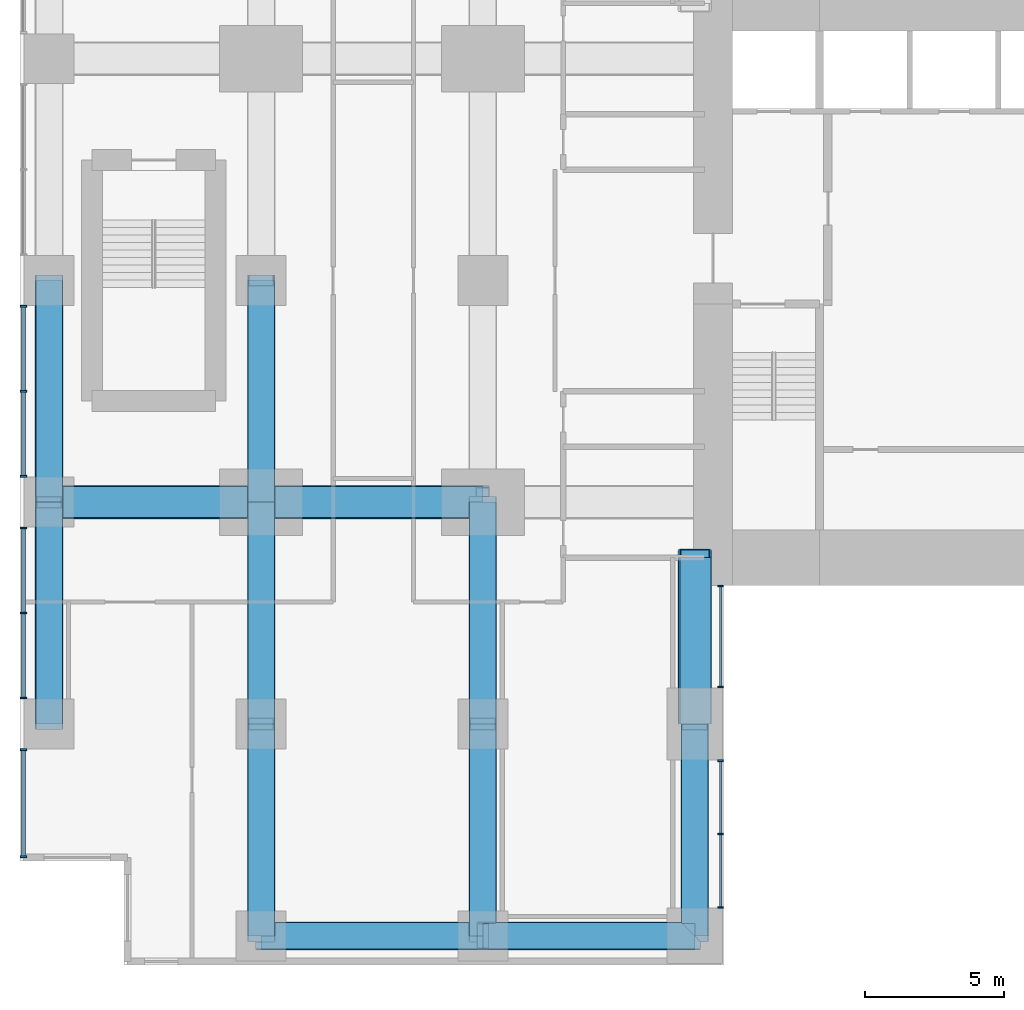
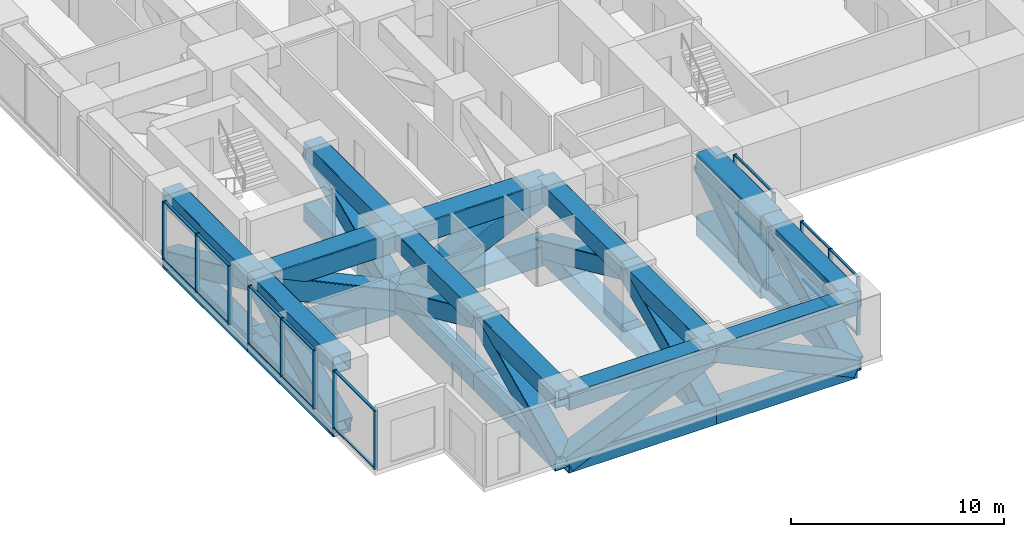
# One storey, part 2 of 14: 68 members, 5 elements without a shape of their own.
"""IFC4 building model written with IfcOpenShell, lengths in metres."""

import ifcopenshell
import ifcopenshell.guid

model = None  # the IFC model being written
_history = None  # IfcOwnerHistory: only IFC2X3 demands one
_inside = {}  # id of a spatial element -> (the spatial element, [elements in it])
_under = {}  # id of a project, library or spatial element -> (it, [spatial elements below it])
_declared = {}  # id of a project -> (the project, [libraries it declares])
_typed = {}  # id of a type object -> (the type object, [elements of that type])
_made_of = {}  # id of a material, layer set ... -> (it, [elements and type objects made of it])


def new_model(schema):
    """Start an empty IFC model of exactly this schema.

    Asked for "IFC4X3", IfcOpenShell would pick the latest addendum, in which some entities
    have other attributes; the version numbers below select the first issue.
    IFC2X3 requires an IfcOwnerHistory on every rooted entity: one is made here for all.
    """
    global model, _history
    if schema == "IFC4X3":
        model = ifcopenshell.file(schema_version=(4, 3, 0, 0))
    else:
        model = ifcopenshell.file(schema=schema)
    _inside.clear()
    _under.clear()
    _declared.clear()
    _typed.clear()
    _made_of.clear()
    _history = None
    if model.schema == "IFC2X3":
        org = make("IfcOrganization", Name="unknown")
        user = make(
            "IfcPersonAndOrganization",
            ThePerson=make("IfcPerson", FamilyName="unknown"),
            TheOrganization=org,
        )
        app = make(
            "IfcApplication",
            ApplicationDeveloper=org,
            Version="unknown",
            ApplicationFullName="unknown",
            ApplicationIdentifier="unknown",
        )
        _history = make(
            "IfcOwnerHistory",
            OwningUser=user,
            OwningApplication=app,
            ChangeAction="ADDED",
            CreationDate=0,
        )
    return model


def make(cls, **values):
    """One entity of the class cls with the attributes given. An attribute that is None is left unset."""
    return model.create_entity(
        cls, **{name: value for name, value in values.items() if value is not None}
    )


def rooted(cls, **values):
    """An entity with a GlobalId (a new one), such as an element, a storey or a relation."""
    return make(cls, GlobalId=ifcopenshell.guid.new(), OwnerHistory=_history, **values)


def si_unit(unit_type, name, prefix=None):
    """IfcSIUnit, for example si_unit("LENGTHUNIT", "METRE", prefix="MILLI")."""
    return make("IfcSIUnit", UnitType=unit_type, Prefix=prefix, Name=name)


def assignment(units):
    """IfcUnitAssignment: the units of a project."""
    return None if units is None else make("IfcUnitAssignment", Units=units)


def point(xyz):
    """IfcCartesianPoint."""
    return None if xyz is None else make("IfcCartesianPoint", Coordinates=xyz)


def direction(xyz):
    """IfcDirection."""
    return None if xyz is None else make("IfcDirection", DirectionRatios=xyz)


def frame(location, z_axis=None, x_axis=None):
    """IfcAxis2Placement3D, a coordinate frame: its origin and axes. An axis left out is left unset."""
    return make(
        "IfcAxis2Placement3D",
        Location=point(location),
        Axis=direction(z_axis),
        RefDirection=direction(x_axis),
    )


def frame_2d(location, x_axis=None):
    """IfcAxis2Placement2D, a coordinate frame in the plane: its origin and x axis."""
    return make(
        "IfcAxis2Placement2D", Location=point(location), RefDirection=direction(x_axis)
    )


def origin():
    """The frame at (0, 0, 0) with its axes left unset."""
    return frame((0.0, 0.0, 0.0))


def origin_2d():
    """The frame at (0, 0) in the plane with its x axis left unset."""
    return frame_2d((0.0, 0.0))


def place(relative_to, where):
    """IfcLocalPlacement: puts the frame where relative to a parent placement (None: the world)."""
    return make(
        "IfcLocalPlacement", PlacementRelTo=relative_to, RelativePlacement=where
    )


def context(
    kind, dimensions, precision=None, world=None, true_north=None, identifier=None
):
    """IfcGeometricRepresentationContext, for example the 3D "Model" context."""
    return make(
        "IfcGeometricRepresentationContext",
        ContextIdentifier=identifier,
        ContextType=kind,
        CoordinateSpaceDimension=dimensions,
        Precision=precision,
        WorldCoordinateSystem=world,
        TrueNorth=true_north,
    )


def subcontext(parent, identifier, kind, view, scale=None):
    """IfcGeometricRepresentationSubContext, for example "Body" below "Model"."""
    return make(
        "IfcGeometricRepresentationSubContext",
        ContextIdentifier=identifier,
        ContextType=kind,
        ParentContext=parent,
        TargetScale=scale,
        TargetView=view,
    )


def project(units=None, contexts=None):
    """IfcProject with its units and contexts."""
    return rooted(
        "IfcProject",
        Name="project",
        RepresentationContexts=contexts,
        UnitsInContext=assignment(units),
    )


def spatial(cls, under=None, at=None, **own):
    """A site, building, storey or space (cls), placed at a placement, below another one or the project."""
    s = rooted(cls, ObjectPlacement=at, **own)
    if under is not None:
        _under.setdefault(under.id(), (under, []))[1].append(s)
    return s


def profile(cls, at=None, kind="AREA", **sizes):
    """A parametric profile (cls). Its sizes go by their IFC names, for example OverallWidth=200.0."""
    return make(cls, ProfileType=kind, Position=at, **sizes)


def rectangle(**sizes):
    """IfcRectangleProfileDef."""
    return profile("IfcRectangleProfileDef", **sizes)


def hollow_rectangle(**sizes):
    """IfcRectangleHollowProfileDef."""
    return profile("IfcRectangleHollowProfileDef", **sizes)


def extrude(swept, where, along, depth):
    """IfcExtrudedAreaSolid: the profile swept, set in the frame where, extruded along a direction by depth."""
    return make(
        "IfcExtrudedAreaSolid",
        SweptArea=swept,
        Position=where,
        ExtrudedDirection=direction(along),
        Depth=depth,
    )


def shape(context_of_items, identifier, shape_type, items):
    """IfcShapeRepresentation: the items that make up one representation, for example the "Body"."""
    return make(
        "IfcShapeRepresentation",
        ContextOfItems=context_of_items,
        RepresentationIdentifier=identifier,
        RepresentationType=shape_type,
        Items=items,
    )


def material(Name=None, Category=None):
    """IfcMaterial."""
    return make("IfcMaterial", Name=Name, Category=Category)


def layer(
    of_material, thickness, ventilated=None, Name=None, Category=None, Priority=None
):
    """IfcMaterialLayer: one layer of a wall or slab, of a material (None: an air gap)."""
    return make(
        "IfcMaterialLayer",
        Material=of_material,
        LayerThickness=thickness,
        IsVentilated=ventilated,
        Name=Name,
        Category=Category,
        Priority=Priority,
    )


def layer_set(layers, Name=None):
    """IfcMaterialLayerSet."""
    return make("IfcMaterialLayerSet", MaterialLayers=layers, LayerSetName=Name)


def material_profile(
    of_material, cross_section, Name=None, Category=None, Priority=None
):
    """IfcMaterialProfile: a cross section and its material."""
    return make(
        "IfcMaterialProfile",
        Name=Name,
        Material=of_material,
        Profile=cross_section,
        Priority=Priority,
        Category=Category,
    )


def profile_set(profiles, Name=None, composite=None):
    """IfcMaterialProfileSet."""
    return make(
        "IfcMaterialProfileSet",
        Name=Name,
        MaterialProfiles=profiles,
        CompositeProfile=composite,
    )


def made_of(thing, what):
    """Note that an element or type object is made of a material, layer set ...; save() writes the relation."""
    if what is not None:
        _made_of.setdefault(what.id(), (what, []))[1].append(thing)
    return thing


def type_object(cls, material=None, **own):
    """A type object (cls), such as IfcWallType, which elements share."""
    return made_of(rooted(cls, **own), material)


def element(
    cls,
    number,
    at=None,
    inside=None,
    cuts=None,
    type_object=None,
    material=None,
    context=None,
    identifier="Body",
    shape_type=None,
    held_by="IfcProductDefinitionShape",
    body=None,
    shapes=None,
    **own,
):
    """One element of the class cls, such as IfcWall. Its Tag is "e" and its number.

    at: its placement. inside: the storey or other place that contains it. cuts: it is an
    opening in that element (IfcRelVoidsElement). A single representation is given by context,
    identifier, shape_type and body (its items); several are given by shapes. held_by: the class
    of the entity that holds the representations. save() writes the other relations.
    """
    e = rooted(cls, Tag="e%d" % number, ObjectPlacement=at, **own)
    if body is not None:
        shapes = [shape(context, identifier, shape_type, body)]
    if shapes is not None:
        e.Representation = make(held_by, Representations=shapes)
    if inside is not None:
        _inside.setdefault(inside.id(), (inside, []))[1].append(e)
    if cuts is not None:
        rooted(
            "IfcRelVoidsElement", RelatingBuildingElement=cuts, RelatedOpeningElement=e
        )
    if type_object is not None:
        _typed.setdefault(type_object.id(), (type_object, []))[1].append(e)
    return made_of(e, material)


def aggregate(whole, parts):
    """IfcRelAggregates: a whole, such as a stair, and the parts it consists of."""
    return rooted("IfcRelAggregates", RelatingObject=whole, RelatedObjects=parts)


def save(model, path):
    """Write the relations noted so far, then the file.

    IfcRelAggregates (storeys below a building ...), IfcRelContainedInSpatialStructure (elements
    in a storey), IfcRelDefinesByType, IfcRelAssociatesMaterial and IfcRelDeclares: one each for
    every whole, place, type object, material and project.
    """
    for whole, parts in _under.values():
        aggregate(whole, parts)
    for where, things in _inside.values():
        rooted(
            "IfcRelContainedInSpatialStructure",
            RelatedElements=things,
            RelatingStructure=where,
        )
    for kind, things in _typed.values():
        rooted("IfcRelDefinesByType", RelatedObjects=things, RelatingType=kind)
    for what, things in _made_of.values():
        rooted("IfcRelAssociatesMaterial", RelatedObjects=things, RelatingMaterial=what)
    for by, libraries in _declared.values():
        rooted("IfcRelDeclares", RelatingContext=by, RelatedDefinitions=libraries)
    model.write(path)


model = new_model("IFC4")

# Units and contexts
model_context = context("Model", 3, precision=1e-05, world=origin(), true_north=direction((0.0, 1.0)))
body_context = subcontext(model_context, "Body", "Model", "MODEL_VIEW")
ifc_project = project(units=[si_unit("LENGTHUNIT", "METRE"), si_unit("AREAUNIT", "SQUARE_METRE"), si_unit("VOLUMEUNIT", "CUBIC_METRE"), si_unit("PLANEANGLEUNIT", "RADIAN"), si_unit("MASSUNIT", "GRAM", prefix="KILO")], contexts=[model_context])

# Site, building, storey
site_placement = place(None, origin())
site = spatial("IfcSite", under=ifc_project, at=site_placement, CompositionType="ELEMENT")
building_placement = place(site_placement, origin())
building = spatial("IfcBuilding", under=site, at=building_placement, Name="Cleftline Residences", CompositionType="ELEMENT")
storey_placement = place(building_placement, frame((0.0, 0.0, 200.199951171875)))
storey = spatial("IfcBuildingStorey", under=building, at=storey_placement, Name="L52", CompositionType="ELEMENT", Elevation=200.199951171875)

# Members
ifc_material_1 = material(Name="Steel S355", Category="steel")
ifc_material_profile_1 = material_profile(ifc_material_1, hollow_rectangle(XDim=1.0, YDim=1.0, WallThickness=0.0400390625, InnerFilletRadius=0.0400390625, OuterFilletRadius=0.06005859375, at=origin_2d()))
ifc_profile_set_1 = profile_set([ifc_material_profile_1], Name="Steel S355")
member_type_1 = type_object("IfcMemberType", Name="BRACE BOX 1000X1000X40", PredefinedType="BRACE", material=ifc_profile_set_1)
for number, where, z_axis, x_axis, name in (
    (1, (0.35009765625, 8.0, -0.75), (0.0, 0.91191733938, 0.410373934525), (0.0, -0.410373934525, 0.91191733938), "Belt truss diagonal"),
    (2, (0.35009765625, 16.0, 2.85009765625), (0.0, 0.91191733938, -0.410373934525), (0.0, 0.410373934525, 0.91191733938), "Belt truss diagonal"),
):
    element("IfcMember", number, at=place(storey_placement, frame(where, z_axis=z_axis, x_axis=x_axis)), inside=storey, type_object=member_type_1, Name=name, PredefinedType="BRACE", context=body_context, shape_type="SweptSolid", body=[
        extrude(hollow_rectangle(XDim=1.0, YDim=1.0, WallThickness=0.0400390625, InnerFilletRadius=0.0400390625, OuterFilletRadius=0.06005859375, at=origin_2d()), origin(), (0.0, 0.0, 1.0), 8.772705078125),
    ])
member_1_placement = place(storey_placement, frame((8.0, 0.35009765625, -0.75), z_axis=(0.0, 0.904812157874, 0.425810942746), x_axis=(0.0, -0.425810942746, 0.904812157874)))
element("IfcMember", 3, at=member_1_placement, inside=storey, type_object=member_type_1, Name="Belt truss diagonal", PredefinedType="BRACE", context=body_context, shape_type="SweptSolid", body=[
    extrude(hollow_rectangle(XDim=1.0, YDim=1.0, WallThickness=0.0400390625, InnerFilletRadius=0.0400390625, OuterFilletRadius=0.06005859375, at=origin_2d()), origin(), (0.0, 0.0, 1.0), 8.45458984375),
])
for number, where, z_axis, x_axis, name in (
    (4, (8.0, 8.0, 2.85009765625), (0.0, 0.91191733938, -0.410373934525), (0.0, 0.410373934525, 0.91191733938), "Belt truss diagonal"),
    (5, (8.0, 16.0, -0.75), (0.0, 0.91191733938, 0.410373934525), (0.0, -0.410373934525, 0.91191733938), "Belt truss diagonal"),
):
    element("IfcMember", number, at=place(storey_placement, frame(where, z_axis=z_axis, x_axis=x_axis)), inside=storey, type_object=member_type_1, Name=name, PredefinedType="BRACE", context=body_context, shape_type="SweptSolid", body=[
        extrude(hollow_rectangle(XDim=1.0, YDim=1.0, WallThickness=0.0400390625, InnerFilletRadius=0.0400390625, OuterFilletRadius=0.06005859375, at=origin_2d()), origin(), (0.0, 0.0, 1.0), 8.772705078125),
    ])
member_2_placement = place(storey_placement, frame((16.0, 0.35009765625, -0.75), z_axis=(0.0, 0.904812157874, 0.425810942746), x_axis=(0.0, -0.425810942746, 0.904812157874)))
element("IfcMember", 6, at=member_2_placement, inside=storey, type_object=member_type_1, Name="Belt truss diagonal", PredefinedType="BRACE", context=body_context, shape_type="SweptSolid", body=[
    extrude(hollow_rectangle(XDim=1.0, YDim=1.0, WallThickness=0.0400390625, InnerFilletRadius=0.0400390625, OuterFilletRadius=0.06005859375, at=origin_2d()), origin(), (0.0, 0.0, 1.0), 8.45458984375),
])
member_3_placement = place(storey_placement, frame((16.0, 8.0, 2.85009765625), z_axis=(0.0, 0.91191733938, -0.410373934525), x_axis=(0.0, 0.410373934525, 0.91191733938)))
element("IfcMember", 7, at=member_3_placement, inside=storey, type_object=member_type_1, Name="Belt truss diagonal", PredefinedType="BRACE", context=body_context, shape_type="SweptSolid", body=[
    extrude(hollow_rectangle(XDim=1.0, YDim=1.0, WallThickness=0.0400390625, InnerFilletRadius=0.0400390625, OuterFilletRadius=0.06005859375, at=origin_2d()), origin(), (0.0, 0.0, 1.0), 8.772705078125),
])
member_4_placement = place(storey_placement, frame((23.64990234375, 0.35009765625, -0.75), z_axis=(0.0, 0.904812157874, 0.425810942746), x_axis=(0.0, -0.425810942746, 0.904812157874)))
element("IfcMember", 8, at=member_4_placement, inside=storey, type_object=member_type_1, Name="Belt truss diagonal", PredefinedType="BRACE", context=body_context, shape_type="SweptSolid", body=[
    extrude(hollow_rectangle(XDim=1.0, YDim=1.0, WallThickness=0.0400390625, InnerFilletRadius=0.0400390625, OuterFilletRadius=0.06005859375, at=origin_2d()), origin(), (0.0, 0.0, 1.0), 8.45458984375),
])
member_5_placement = place(storey_placement, frame((8.0, 0.35009765625, -0.75), z_axis=(0.91191733938, 0.0, 0.410373934525), x_axis=(-0.410373934525, 0.0, 0.91191733938)))
element("IfcMember", 9, at=member_5_placement, inside=storey, type_object=member_type_1, Name="Belt truss diagonal", PredefinedType="BRACE", context=body_context, shape_type="SweptSolid", body=[
    extrude(hollow_rectangle(XDim=1.0, YDim=1.0, WallThickness=0.0400390625, InnerFilletRadius=0.0400390625, OuterFilletRadius=0.06005859375, at=origin_2d()), origin(), (0.0, 0.0, 1.0), 8.772705078125),
])
member_6_placement = place(storey_placement, frame((16.0, 0.35009765625, 2.85009765625), z_axis=(0.904812157874, 0.0, -0.425810942746), x_axis=(0.425810942746, 0.0, 0.904812157874)))
element("IfcMember", 10, at=member_6_placement, inside=storey, type_object=member_type_1, Name="Belt truss diagonal", PredefinedType="BRACE", context=body_context, shape_type="SweptSolid", body=[
    extrude(hollow_rectangle(XDim=1.0, YDim=1.0, WallThickness=0.0400390625, InnerFilletRadius=0.0400390625, OuterFilletRadius=0.06005859375, at=origin_2d()), origin(), (0.0, 0.0, 1.0), 8.45458984375),
])
ifc_material_2 = material(Name="Steel S355", Category="steel")
ifc_material_profile_2 = material_profile(ifc_material_2, hollow_rectangle(XDim=1.199951171875, YDim=1.199951171875, WallThickness=0.06005859375, InnerFilletRadius=0.06005859375, OuterFilletRadius=0.090087890625, at=origin_2d()))
ifc_profile_set_2 = profile_set([ifc_material_profile_2], Name="Steel S355")
member_type_2 = type_object("IfcMemberType", Name="BRACE BOX 1200X1200X60", PredefinedType="BRACE", material=ifc_profile_set_2)
member_7_placement = place(storey_placement, frame((16.0, 16.0, 2.75), z_axis=(-0.911927753762, 0.0, -0.410350791297), x_axis=(-0.410350791297, 0.0, 0.911927753762)))
element("IfcMember", 11, at=member_7_placement, inside=storey, type_object=member_type_2, Name="Outrigger truss diagonal", PredefinedType="BRACE", context=body_context, shape_type="SweptSolid", body=[
    extrude(hollow_rectangle(XDim=1.199951171875, YDim=1.199951171875, WallThickness=0.06005859375, InnerFilletRadius=0.06005859375, OuterFilletRadius=0.090087890625, at=origin_2d()), origin(), (0.0, 0.0, 1.0), 8.772705078125),
])
member_8_placement = place(storey_placement, frame((8.0, 16.0, -0.849853515625), z_axis=(-0.904823283159, 0.0, 0.425787301659), x_axis=(0.425787301659, 0.0, 0.904823283159)))
element("IfcMember", 12, at=member_8_placement, inside=storey, type_object=member_type_2, Name="Outrigger truss diagonal", PredefinedType="BRACE", context=body_context, shape_type="SweptSolid", body=[
    extrude(hollow_rectangle(XDim=1.199951171875, YDim=1.199951171875, WallThickness=0.06005859375, InnerFilletRadius=0.06005859375, OuterFilletRadius=0.090087890625, at=origin_2d()), origin(), (0.0, 0.0, 1.0), 8.45458984375),
])
member_9_placement = place(storey_placement, frame((23.64990234375, 8.0, -0.849853515625), z_axis=(0.0, 0.857502161653, 0.51448036188), x_axis=(0.0, -0.51448036188, 0.857502161653)))
element("IfcMember", 13, at=member_9_placement, inside=storey, type_object=member_type_2, Name="Outrigger truss diagonal", PredefinedType="BRACE", context=body_context, shape_type="SweptSolid", body=[
    extrude(hollow_rectangle(XDim=1.199951171875, YDim=1.199951171875, WallThickness=0.06005859375, InnerFilletRadius=0.06005859375, OuterFilletRadius=0.090087890625, at=origin_2d()), origin(), (0.0, 0.0, 1.0), 6.9970703125),
])
ifc_material_3 = material(Name="Steel S355", Category="steel")
ifc_material_profile_3 = material_profile(ifc_material_3, hollow_rectangle(XDim=1.0, YDim=1.0, WallThickness=0.0400390625, InnerFilletRadius=0.0400390625, OuterFilletRadius=0.06005859375, at=origin_2d()))
ifc_profile_set_3 = profile_set([ifc_material_profile_3], Name="Steel S355")
member_type_3 = type_object("IfcMemberType", Name="CHORD BOX 1000X1000X40", PredefinedType="CHORD", material=ifc_profile_set_3)
for number, where, z_axis, x_axis, name in (
    (14, (0.35009765625, 8.0, -0.75), (0.0, 1.0, 0.0), (-1.0, 0.0, 0.0), "Belt truss bottom chord"),
    (15, (0.35009765625, 8.0, 2.85009765625), (0.0, 1.0, 0.0), (-1.0, 0.0, 0.0), "Belt truss top chord"),
    (16, (0.35009765625, 16.0, -0.75), (0.0, 1.0, 0.0), (-1.0, 0.0, 0.0), "Belt truss bottom chord"),
    (17, (0.35009765625, 16.0, 2.85009765625), (0.0, 1.0, 0.0), (-1.0, 0.0, 0.0), "Belt truss top chord"),
):
    element("IfcMember", number, at=place(storey_placement, frame(where, z_axis=z_axis, x_axis=x_axis)), inside=storey, type_object=member_type_3, Name=name, PredefinedType="CHORD", context=body_context, shape_type="SweptSolid", body=[
        extrude(hollow_rectangle(XDim=1.0, YDim=1.0, WallThickness=0.0400390625, InnerFilletRadius=0.0400390625, OuterFilletRadius=0.06005859375, at=origin_2d()), origin(), (0.0, 0.0, 1.0), 8.0),
    ])
for number, where, z_axis, x_axis, name in (
    (18, (8.0, 0.35009765625, -0.75), (0.0, 1.0, 0.0), (-1.0, 0.0, 0.0), "Belt truss bottom chord"),
    (19, (8.0, 0.35009765625, 2.85009765625), (0.0, 1.0, 0.0), (-1.0, 0.0, 0.0), "Belt truss top chord"),
):
    element("IfcMember", number, at=place(storey_placement, frame(where, z_axis=z_axis, x_axis=x_axis)), inside=storey, type_object=member_type_3, Name=name, PredefinedType="CHORD", context=body_context, shape_type="SweptSolid", body=[
        extrude(hollow_rectangle(XDim=1.0, YDim=1.0, WallThickness=0.0400390625, InnerFilletRadius=0.0400390625, OuterFilletRadius=0.06005859375, at=origin_2d()), origin(), (0.0, 0.0, 1.0), 7.64990234375),
    ])
for number, where, z_axis, x_axis, name in (
    (20, (8.0, 8.0, -0.75), (0.0, 1.0, 0.0), (-1.0, 0.0, 0.0), "Belt truss bottom chord"),
    (21, (8.0, 8.0, 2.85009765625), (0.0, 1.0, 0.0), (-1.0, 0.0, 0.0), "Belt truss top chord"),
    (22, (8.0, 16.0, -0.75), (0.0, 1.0, 0.0), (-1.0, 0.0, 0.0), "Belt truss bottom chord"),
    (23, (8.0, 16.0, 2.85009765625), (0.0, 1.0, 0.0), (-1.0, 0.0, 0.0), "Belt truss top chord"),
):
    element("IfcMember", number, at=place(storey_placement, frame(where, z_axis=z_axis, x_axis=x_axis)), inside=storey, type_object=member_type_3, Name=name, PredefinedType="CHORD", context=body_context, shape_type="SweptSolid", body=[
        extrude(hollow_rectangle(XDim=1.0, YDim=1.0, WallThickness=0.0400390625, InnerFilletRadius=0.0400390625, OuterFilletRadius=0.06005859375, at=origin_2d()), origin(), (0.0, 0.0, 1.0), 8.0),
    ])
for number, where, z_axis, x_axis, name in (
    (24, (16.0, 0.35009765625, -0.75), (0.0, 1.0, 0.0), (-1.0, 0.0, 0.0), "Belt truss bottom chord"),
    (25, (16.0, 0.35009765625, 2.85009765625), (0.0, 1.0, 0.0), (-1.0, 0.0, 0.0), "Belt truss top chord"),
):
    element("IfcMember", number, at=place(storey_placement, frame(where, z_axis=z_axis, x_axis=x_axis)), inside=storey, type_object=member_type_3, Name=name, PredefinedType="CHORD", context=body_context, shape_type="SweptSolid", body=[
        extrude(hollow_rectangle(XDim=1.0, YDim=1.0, WallThickness=0.0400390625, InnerFilletRadius=0.0400390625, OuterFilletRadius=0.06005859375, at=origin_2d()), origin(), (0.0, 0.0, 1.0), 7.64990234375),
    ])
for number, where, z_axis, x_axis, name in (
    (26, (16.0, 8.0, -0.75), (0.0, 1.0, 0.0), (-1.0, 0.0, 0.0), "Belt truss bottom chord"),
    (27, (16.0, 8.0, 2.85009765625), (0.0, 1.0, 0.0), (-1.0, 0.0, 0.0), "Belt truss top chord"),
):
    element("IfcMember", number, at=place(storey_placement, frame(where, z_axis=z_axis, x_axis=x_axis)), inside=storey, type_object=member_type_3, Name=name, PredefinedType="CHORD", context=body_context, shape_type="SweptSolid", body=[
        extrude(hollow_rectangle(XDim=1.0, YDim=1.0, WallThickness=0.0400390625, InnerFilletRadius=0.0400390625, OuterFilletRadius=0.06005859375, at=origin_2d()), origin(), (0.0, 0.0, 1.0), 8.0),
    ])
for number, where, z_axis, x_axis, name in (
    (28, (23.64990234375, 0.35009765625, -0.75), (0.0, 1.0, 0.0), (-1.0, 0.0, 0.0), "Belt truss bottom chord"),
    (29, (23.64990234375, 0.35009765625, 2.85009765625), (0.0, 1.0, 0.0), (-1.0, 0.0, 0.0), "Belt truss top chord"),
):
    element("IfcMember", number, at=place(storey_placement, frame(where, z_axis=z_axis, x_axis=x_axis)), inside=storey, type_object=member_type_3, Name=name, PredefinedType="CHORD", context=body_context, shape_type="SweptSolid", body=[
        extrude(hollow_rectangle(XDim=1.0, YDim=1.0, WallThickness=0.0400390625, InnerFilletRadius=0.0400390625, OuterFilletRadius=0.06005859375, at=origin_2d()), origin(), (0.0, 0.0, 1.0), 7.64990234375),
    ])
for number, where, z_axis, x_axis, name in (
    (30, (8.0, 0.35009765625, -0.75), (1.0, 0.0, 0.0), (0.0, 1.0, 0.0), "Belt truss bottom chord"),
    (31, (8.0, 0.35009765625, 2.85009765625), (1.0, 0.0, 0.0), (0.0, 1.0, 0.0), "Belt truss top chord"),
):
    element("IfcMember", number, at=place(storey_placement, frame(where, z_axis=z_axis, x_axis=x_axis)), inside=storey, type_object=member_type_3, Name=name, PredefinedType="CHORD", context=body_context, shape_type="SweptSolid", body=[
        extrude(hollow_rectangle(XDim=1.0, YDim=1.0, WallThickness=0.0400390625, InnerFilletRadius=0.0400390625, OuterFilletRadius=0.06005859375, at=origin_2d()), origin(), (0.0, 0.0, 1.0), 8.0),
    ])
for number, where, z_axis, x_axis, name in (
    (32, (16.0, 0.35009765625, -0.75), (1.0, 0.0, 0.0), (0.0, 1.0, 0.0), "Belt truss bottom chord"),
    (33, (16.0, 0.35009765625, 2.85009765625), (1.0, 0.0, 0.0), (0.0, 1.0, 0.0), "Belt truss top chord"),
):
    element("IfcMember", number, at=place(storey_placement, frame(where, z_axis=z_axis, x_axis=x_axis)), inside=storey, type_object=member_type_3, Name=name, PredefinedType="CHORD", context=body_context, shape_type="SweptSolid", body=[
        extrude(hollow_rectangle(XDim=1.0, YDim=1.0, WallThickness=0.0400390625, InnerFilletRadius=0.0400390625, OuterFilletRadius=0.06005859375, at=origin_2d()), origin(), (0.0, 0.0, 1.0), 7.64990234375),
    ])
ifc_material_4 = material(Name="Steel S355", Category="steel")
ifc_material_profile_4 = material_profile(ifc_material_4, hollow_rectangle(XDim=1.199951171875, YDim=1.199951171875, WallThickness=0.06005859375, InnerFilletRadius=0.06005859375, OuterFilletRadius=0.090087890625, at=origin_2d()))
ifc_profile_set_4 = profile_set([ifc_material_profile_4], Name="Steel S355")
member_type_4 = type_object("IfcMemberType", Name="CHORD BOX 1200X1200X60", PredefinedType="CHORD", material=ifc_profile_set_4)
for number, where, z_axis, x_axis, name in (
    (34, (16.0, 16.0, -0.849853515625), (-1.0, 0.0, 0.0), (0.0, -1.0, 0.0), "Outrigger truss bottom chord"),
    (35, (16.0, 16.0, 2.75), (-1.0, 0.0, 0.0), (0.0, -1.0, 0.0), "Outrigger truss top chord"),
):
    element("IfcMember", number, at=place(storey_placement, frame(where, z_axis=z_axis, x_axis=x_axis)), inside=storey, type_object=member_type_4, Name=name, PredefinedType="CHORD", context=body_context, shape_type="SweptSolid", body=[
        extrude(hollow_rectangle(XDim=1.199951171875, YDim=1.199951171875, WallThickness=0.06005859375, InnerFilletRadius=0.06005859375, OuterFilletRadius=0.090087890625, at=origin_2d()), origin(), (0.0, 0.0, 1.0), 8.0),
    ])
for number, where, z_axis, x_axis, name in (
    (36, (8.0, 16.0, -0.849853515625), (-1.0, 0.0, 0.0), (0.0, -1.0, 0.0), "Outrigger truss bottom chord"),
    (37, (8.0, 16.0, 2.75), (-1.0, 0.0, 0.0), (0.0, -1.0, 0.0), "Outrigger truss top chord"),
):
    element("IfcMember", number, at=place(storey_placement, frame(where, z_axis=z_axis, x_axis=x_axis)), inside=storey, type_object=member_type_4, Name=name, PredefinedType="CHORD", context=body_context, shape_type="SweptSolid", body=[
        extrude(hollow_rectangle(XDim=1.199951171875, YDim=1.199951171875, WallThickness=0.06005859375, InnerFilletRadius=0.06005859375, OuterFilletRadius=0.090087890625, at=origin_2d()), origin(), (0.0, 0.0, 1.0), 7.64990234375),
    ])
for number, where, z_axis, x_axis, name in (
    (38, (23.64990234375, 8.0, -0.849853515625), (0.0, 1.0, 0.0), (-1.0, 0.0, 0.0), "Outrigger truss bottom chord"),
    (39, (23.64990234375, 8.0, 2.75), (0.0, 1.0, 0.0), (-1.0, 0.0, 0.0), "Outrigger truss top chord"),
):
    element("IfcMember", number, at=place(storey_placement, frame(where, z_axis=z_axis, x_axis=x_axis)), inside=storey, type_object=member_type_4, Name=name, PredefinedType="CHORD", context=body_context, shape_type="SweptSolid", body=[
        extrude(hollow_rectangle(XDim=1.199951171875, YDim=1.199951171875, WallThickness=0.06005859375, InnerFilletRadius=0.06005859375, OuterFilletRadius=0.090087890625, at=origin_2d()), origin(), (0.0, 0.0, 1.0), 6.0),
    ])

# Curtain wall, members
ifc_material_5 = material(Name="Aluminium framed curtain wall", Category="aluminium")
ifc_layer_1 = layer(ifc_material_5, 0.199951171875)
ifc_layer_set_1 = layer_set([ifc_layer_1], Name="CW1 CLEFT GLAZING")
curtain_wall_type_1 = type_object("IfcCurtainWallType", Name="CW1 CLEFT GLAZING", PredefinedType="NOTDEFINED", material=ifc_layer_set_1)
curtain_wall_1_placement = place(storey_placement, origin())
curtain_wall_1 = element("IfcCurtainWall", 40, at=curtain_wall_1_placement, inside=storey, type_object=curtain_wall_type_1, Name="Curtain wall CW1", PredefinedType="NOTDEFINED")
ifc_material_6 = material(Name="Aluminium mullion", Category="aluminium")
ifc_material_profile_5 = material_profile(ifc_material_6, rectangle(XDim=0.199951171875, YDim=0.06005859375, at=origin_2d()))
ifc_profile_set_5 = profile_set([ifc_material_profile_5], Name="Aluminium mullion")
member_type_5 = type_object("IfcMemberType", Name="CW1 MULLION", PredefinedType="MULLION", material=ifc_profile_set_5)
member_10_placement = place(storey_placement, frame((24.574951171875, 1.3798828125, 0.0), z_axis=(0.0, 0.0, 1.0), x_axis=(-1.0, 0.0, 0.0)))
member_10 = element("IfcMember", 41, at=member_10_placement, type_object=member_type_5, Name="CW1 mullion 1", PredefinedType="MULLION", context=body_context, shape_type="SweptSolid", body=[
    extrude(rectangle(XDim=0.199951171875, YDim=0.06005859375, at=origin_2d()), origin(), (0.0, 0.0, 1.0), 3.35009765625),
])
member_11_placement = place(storey_placement, frame((24.574951171875, 4.02490234375, 0.0), z_axis=(0.0, 0.0, 1.0), x_axis=(-1.0, 0.0, 0.0)))
member_11 = element("IfcMember", 42, at=member_11_placement, type_object=member_type_5, Name="CW1 mullion 2", PredefinedType="MULLION", context=body_context, shape_type="SweptSolid", body=[
    extrude(rectangle(XDim=0.199951171875, YDim=0.06005859375, at=origin_2d()), origin(), (0.0, 0.0, 1.0), 3.35009765625),
])
member_12_placement = place(storey_placement, frame((24.574951171875, 6.669921875, 0.0), z_axis=(0.0, 0.0, 1.0), x_axis=(-1.0, 0.0, 0.0)))
member_12 = element("IfcMember", 43, at=member_12_placement, type_object=member_type_5, Name="CW1 mullion 3", PredefinedType="MULLION", context=body_context, shape_type="SweptSolid", body=[
    extrude(rectangle(XDim=0.199951171875, YDim=0.06005859375, at=origin_2d()), origin(), (0.0, 0.0, 1.0), 3.35009765625),
])

curtain_wall_2_placement = place(storey_placement, origin())
curtain_wall_2 = element("IfcCurtainWall", 44, at=curtain_wall_2_placement, inside=storey, type_object=curtain_wall_type_1, Name="Curtain wall CW1", PredefinedType="NOTDEFINED")
member_13_placement = place(storey_placement, frame((24.574951171875, 9.330078125, 0.0), z_axis=(0.0, 0.0, 1.0), x_axis=(-1.0, 0.0, 0.0)))
member_13 = element("IfcMember", 45, at=member_13_placement, type_object=member_type_5, Name="CW1 mullion 1", PredefinedType="MULLION", context=body_context, shape_type="SweptSolid", body=[
    extrude(rectangle(XDim=0.199951171875, YDim=0.06005859375, at=origin_2d()), origin(), (0.0, 0.0, 1.0), 3.35009765625),
])
member_14_placement = place(storey_placement, frame((24.574951171875, 12.969970703125, 0.0), z_axis=(0.0, 0.0, 1.0), x_axis=(-1.0, 0.0, 0.0)))
member_14 = element("IfcMember", 46, at=member_14_placement, type_object=member_type_5, Name="CW1 mullion 2", PredefinedType="MULLION", context=body_context, shape_type="SweptSolid", body=[
    extrude(rectangle(XDim=0.199951171875, YDim=0.06005859375, at=origin_2d()), origin(), (0.0, 0.0, 1.0), 3.35009765625),
])

# Member
ifc_material_7 = material(Name="Aluminium transom", Category="aluminium")
ifc_material_profile_6 = material_profile(ifc_material_7, rectangle(XDim=0.1201171875, YDim=0.06005859375, at=origin_2d()))
ifc_profile_set_6 = profile_set([ifc_material_profile_6], Name="Aluminium transom")
member_type_6 = type_object("IfcMemberType", Name="CW1 TRANSOM", PredefinedType="USERDEFINED", material=ifc_profile_set_6)
member_15_placement = place(storey_placement, frame((24.574951171875, 1.409912109375, 0.030029296875), z_axis=(0.0, 1.0, 0.0), x_axis=(-1.0, 0.0, 0.0)))
member_15 = element("IfcMember", 47, at=member_15_placement, type_object=member_type_6, Name="CW1 transom 1.1", ObjectType="TRANSOM", PredefinedType="USERDEFINED", context=body_context, shape_type="SweptSolid", body=[
    extrude(rectangle(XDim=0.1201171875, YDim=0.06005859375, at=origin_2d()), origin(), (0.0, 0.0, 1.0), 2.585205078125),
])

member_16_placement = place(storey_placement, frame((24.574951171875, 1.409912109375, 3.320068359375), z_axis=(0.0, 1.0, 0.0), x_axis=(-1.0, 0.0, 0.0)))
member_16 = element("IfcMember", 48, at=member_16_placement, type_object=member_type_6, Name="CW1 transom 1.2", ObjectType="TRANSOM", PredefinedType="USERDEFINED", context=body_context, shape_type="SweptSolid", body=[
    extrude(rectangle(XDim=0.1201171875, YDim=0.06005859375, at=origin_2d()), origin(), (0.0, 0.0, 1.0), 2.585205078125),
])

member_17_placement = place(storey_placement, frame((24.574951171875, 4.054931640625, 0.030029296875), z_axis=(0.0, 1.0, 0.0), x_axis=(-1.0, 0.0, 0.0)))
member_17 = element("IfcMember", 49, at=member_17_placement, type_object=member_type_6, Name="CW1 transom 2.1", ObjectType="TRANSOM", PredefinedType="USERDEFINED", context=body_context, shape_type="SweptSolid", body=[
    extrude(rectangle(XDim=0.1201171875, YDim=0.06005859375, at=origin_2d()), origin(), (0.0, 0.0, 1.0), 2.5849609375),
])

member_18_placement = place(storey_placement, frame((24.574951171875, 4.054931640625, 3.320068359375), z_axis=(0.0, 1.0, 0.0), x_axis=(-1.0, 0.0, 0.0)))
member_18 = element("IfcMember", 50, at=member_18_placement, type_object=member_type_6, Name="CW1 transom 2.2", ObjectType="TRANSOM", PredefinedType="USERDEFINED", context=body_context, shape_type="SweptSolid", body=[
    extrude(rectangle(XDim=0.1201171875, YDim=0.06005859375, at=origin_2d()), origin(), (0.0, 0.0, 1.0), 2.5849609375),
])

aggregate(curtain_wall_1, [member_10, member_11, member_12, member_15, member_16, member_17, member_18])

member_19_placement = place(storey_placement, frame((24.574951171875, 9.360107421875, 0.030029296875), z_axis=(0.0, 1.0, 0.0), x_axis=(-1.0, 0.0, 0.0)))
member_19 = element("IfcMember", 51, at=member_19_placement, type_object=member_type_6, Name="CW1 transom 1.1", ObjectType="TRANSOM", PredefinedType="USERDEFINED", context=body_context, shape_type="SweptSolid", body=[
    extrude(rectangle(XDim=0.1201171875, YDim=0.06005859375, at=origin_2d()), origin(), (0.0, 0.0, 1.0), 3.579833984375),
])

member_20_placement = place(storey_placement, frame((24.574951171875, 9.360107421875, 3.320068359375), z_axis=(0.0, 1.0, 0.0), x_axis=(-1.0, 0.0, 0.0)))
member_20 = element("IfcMember", 52, at=member_20_placement, type_object=member_type_6, Name="CW1 transom 1.2", ObjectType="TRANSOM", PredefinedType="USERDEFINED", context=body_context, shape_type="SweptSolid", body=[
    extrude(rectangle(XDim=0.1201171875, YDim=0.06005859375, at=origin_2d()), origin(), (0.0, 0.0, 1.0), 3.579833984375),
])

aggregate(curtain_wall_2, [member_13, member_14, member_19, member_20])

# Curtain wall, members
ifc_material_8 = material(Name="Aluminium framed curtain wall", Category="aluminium")
ifc_layer_2 = layer(ifc_material_8, 0.199951171875)
ifc_layer_set_2 = layer_set([ifc_layer_2], Name="CW4 SKY LOUNGE GLAZING")
curtain_wall_type_2 = type_object("IfcCurtainWallType", Name="CW4 SKY LOUNGE GLAZING", PredefinedType="NOTDEFINED", material=ifc_layer_set_2)
curtain_wall_3_placement = place(storey_placement, origin())
curtain_wall_3 = element("IfcCurtainWall", 53, at=curtain_wall_3_placement, inside=storey, type_object=curtain_wall_type_2, Name="Curtain wall CW4", PredefinedType="NOTDEFINED")
ifc_material_9 = material(Name="Aluminium mullion", Category="aluminium")
ifc_material_profile_7 = material_profile(ifc_material_9, rectangle(XDim=0.219970703125, YDim=0.06494140625, at=origin_2d()))
ifc_profile_set_7 = profile_set([ifc_material_profile_7], Name="Aluminium mullion")
member_type_7 = type_object("IfcMemberType", Name="CW4 MULLION", PredefinedType="MULLION", material=ifc_profile_set_7)
member_21_placement = place(storey_placement, frame((-0.574951171875, 23.0673828125, 0.0), z_axis=(0.0, 0.0, 1.0), x_axis=(1.0, 0.0, 0.0)))
member_21 = element("IfcMember", 54, at=member_21_placement, type_object=member_type_7, Name="CW4 mullion 1", PredefinedType="MULLION", context=body_context, shape_type="SweptSolid", body=[
    extrude(rectangle(XDim=0.219970703125, YDim=0.06494140625, at=origin_2d()), origin(), (0.0, 0.0, 1.0), 3.35009765625),
])
member_22_placement = place(storey_placement, frame((-0.574951171875, 20.0, 0.0), z_axis=(0.0, 0.0, 1.0), x_axis=(1.0, 0.0, 0.0)))
member_22 = element("IfcMember", 55, at=member_22_placement, type_object=member_type_7, Name="CW4 mullion 2", PredefinedType="MULLION", context=body_context, shape_type="SweptSolid", body=[
    extrude(rectangle(XDim=0.219970703125, YDim=0.06494140625, at=origin_2d()), origin(), (0.0, 0.0, 1.0), 3.35009765625),
])
member_23_placement = place(storey_placement, frame((-0.574951171875, 16.9326171875, 0.0), z_axis=(0.0, 0.0, 1.0), x_axis=(1.0, 0.0, 0.0)))
member_23 = element("IfcMember", 56, at=member_23_placement, type_object=member_type_7, Name="CW4 mullion 3", PredefinedType="MULLION", context=body_context, shape_type="SweptSolid", body=[
    extrude(rectangle(XDim=0.219970703125, YDim=0.06494140625, at=origin_2d()), origin(), (0.0, 0.0, 1.0), 3.35009765625),
])

curtain_wall_4_placement = place(storey_placement, origin())
curtain_wall_4 = element("IfcCurtainWall", 57, at=curtain_wall_4_placement, inside=storey, type_object=curtain_wall_type_2, Name="Curtain wall CW4", PredefinedType="NOTDEFINED")
member_24_placement = place(storey_placement, frame((-0.574951171875, 15.0673828125, 0.0), z_axis=(0.0, 0.0, 1.0), x_axis=(1.0, 0.0, 0.0)))
member_24 = element("IfcMember", 58, at=member_24_placement, type_object=member_type_7, Name="CW4 mullion 1", PredefinedType="MULLION", context=body_context, shape_type="SweptSolid", body=[
    extrude(rectangle(XDim=0.219970703125, YDim=0.06494140625, at=origin_2d()), origin(), (0.0, 0.0, 1.0), 3.35009765625),
])
member_25_placement = place(storey_placement, frame((-0.574951171875, 12.0, 0.0), z_axis=(0.0, 0.0, 1.0), x_axis=(1.0, 0.0, 0.0)))
member_25 = element("IfcMember", 59, at=member_25_placement, type_object=member_type_7, Name="CW4 mullion 2", PredefinedType="MULLION", context=body_context, shape_type="SweptSolid", body=[
    extrude(rectangle(XDim=0.219970703125, YDim=0.06494140625, at=origin_2d()), origin(), (0.0, 0.0, 1.0), 3.35009765625),
])
member_26_placement = place(storey_placement, frame((-0.574951171875, 8.9326171875, 0.0), z_axis=(0.0, 0.0, 1.0), x_axis=(1.0, 0.0, 0.0)))
member_26 = element("IfcMember", 60, at=member_26_placement, type_object=member_type_7, Name="CW4 mullion 3", PredefinedType="MULLION", context=body_context, shape_type="SweptSolid", body=[
    extrude(rectangle(XDim=0.219970703125, YDim=0.06494140625, at=origin_2d()), origin(), (0.0, 0.0, 1.0), 3.35009765625),
])

curtain_wall_5_placement = place(storey_placement, origin())
curtain_wall_5 = element("IfcCurtainWall", 61, at=curtain_wall_5_placement, inside=storey, type_object=curtain_wall_type_2, Name="Curtain wall CW4", PredefinedType="NOTDEFINED")
member_27_placement = place(storey_placement, frame((-0.574951171875, 7.0673828125, 0.0), z_axis=(0.0, 0.0, 1.0), x_axis=(1.0, 0.0, 0.0)))
member_27 = element("IfcMember", 62, at=member_27_placement, type_object=member_type_7, Name="CW4 mullion 1", PredefinedType="MULLION", context=body_context, shape_type="SweptSolid", body=[
    extrude(rectangle(XDim=0.219970703125, YDim=0.06494140625, at=origin_2d()), origin(), (0.0, 0.0, 1.0), 3.35009765625),
])
member_28_placement = place(storey_placement, frame((-0.574951171875, 3.20751953125, 0.0), z_axis=(0.0, 0.0, 1.0), x_axis=(1.0, 0.0, 0.0)))
member_28 = element("IfcMember", 63, at=member_28_placement, type_object=member_type_7, Name="CW4 mullion 2", PredefinedType="MULLION", context=body_context, shape_type="SweptSolid", body=[
    extrude(rectangle(XDim=0.219970703125, YDim=0.06494140625, at=origin_2d()), origin(), (0.0, 0.0, 1.0), 3.35009765625),
])

# Member
ifc_material_10 = material(Name="Aluminium transom", Category="aluminium")
ifc_material_profile_8 = material_profile(ifc_material_10, rectangle(XDim=0.132080078125, YDim=0.06494140625, at=origin_2d()))
ifc_profile_set_8 = profile_set([ifc_material_profile_8], Name="Aluminium transom")
member_type_8 = type_object("IfcMemberType", Name="CW4 TRANSOM", PredefinedType="USERDEFINED", material=ifc_profile_set_8)
member_29_placement = place(storey_placement, frame((-0.574951171875, 23.034912109375, 0.032470703125), z_axis=(0.0, -1.0, 0.0), x_axis=(1.0, 0.0, 0.0)))
member_29 = element("IfcMember", 64, at=member_29_placement, type_object=member_type_8, Name="CW4 transom 1.1", ObjectType="TRANSOM", PredefinedType="USERDEFINED", context=body_context, shape_type="SweptSolid", body=[
    extrude(rectangle(XDim=0.132080078125, YDim=0.06494140625, at=origin_2d()), origin(), (0.0, 0.0, 1.0), 3.00244140625),
])

member_30_placement = place(storey_placement, frame((-0.574951171875, 23.034912109375, 3.317626953125), z_axis=(0.0, -1.0, 0.0), x_axis=(1.0, 0.0, 0.0)))
member_30 = element("IfcMember", 65, at=member_30_placement, type_object=member_type_8, Name="CW4 transom 1.2", ObjectType="TRANSOM", PredefinedType="USERDEFINED", context=body_context, shape_type="SweptSolid", body=[
    extrude(rectangle(XDim=0.132080078125, YDim=0.06494140625, at=origin_2d()), origin(), (0.0, 0.0, 1.0), 3.00244140625),
])

member_31_placement = place(storey_placement, frame((-0.574951171875, 19.967529296875, 0.032470703125), z_axis=(0.0, -1.0, 0.0), x_axis=(1.0, 0.0, 0.0)))
member_31 = element("IfcMember", 66, at=member_31_placement, type_object=member_type_8, Name="CW4 transom 2.1", ObjectType="TRANSOM", PredefinedType="USERDEFINED", context=body_context, shape_type="SweptSolid", body=[
    extrude(rectangle(XDim=0.132080078125, YDim=0.06494140625, at=origin_2d()), origin(), (0.0, 0.0, 1.0), 3.00244140625),
])

member_32_placement = place(storey_placement, frame((-0.574951171875, 19.967529296875, 3.317626953125), z_axis=(0.0, -1.0, 0.0), x_axis=(1.0, 0.0, 0.0)))
member_32 = element("IfcMember", 67, at=member_32_placement, type_object=member_type_8, Name="CW4 transom 2.2", ObjectType="TRANSOM", PredefinedType="USERDEFINED", context=body_context, shape_type="SweptSolid", body=[
    extrude(rectangle(XDim=0.132080078125, YDim=0.06494140625, at=origin_2d()), origin(), (0.0, 0.0, 1.0), 3.00244140625),
])

aggregate(curtain_wall_3, [member_21, member_22, member_23, member_29, member_30, member_31, member_32])

member_33_placement = place(storey_placement, frame((-0.574951171875, 15.034912109375, 0.032470703125), z_axis=(0.0, -1.0, 0.0), x_axis=(1.0, 0.0, 0.0)))
member_33 = element("IfcMember", 68, at=member_33_placement, type_object=member_type_8, Name="CW4 transom 1.1", ObjectType="TRANSOM", PredefinedType="USERDEFINED", context=body_context, shape_type="SweptSolid", body=[
    extrude(rectangle(XDim=0.132080078125, YDim=0.06494140625, at=origin_2d()), origin(), (0.0, 0.0, 1.0), 3.00244140625),
])

member_34_placement = place(storey_placement, frame((-0.574951171875, 15.034912109375, 3.317626953125), z_axis=(0.0, -1.0, 0.0), x_axis=(1.0, 0.0, 0.0)))
member_34 = element("IfcMember", 69, at=member_34_placement, type_object=member_type_8, Name="CW4 transom 1.2", ObjectType="TRANSOM", PredefinedType="USERDEFINED", context=body_context, shape_type="SweptSolid", body=[
    extrude(rectangle(XDim=0.132080078125, YDim=0.06494140625, at=origin_2d()), origin(), (0.0, 0.0, 1.0), 3.00244140625),
])

member_35_placement = place(storey_placement, frame((-0.574951171875, 11.967529296875, 0.032470703125), z_axis=(0.0, -1.0, 0.0), x_axis=(1.0, 0.0, 0.0)))
member_35 = element("IfcMember", 70, at=member_35_placement, type_object=member_type_8, Name="CW4 transom 2.1", ObjectType="TRANSOM", PredefinedType="USERDEFINED", context=body_context, shape_type="SweptSolid", body=[
    extrude(rectangle(XDim=0.132080078125, YDim=0.06494140625, at=origin_2d()), origin(), (0.0, 0.0, 1.0), 3.00244140625),
])

member_36_placement = place(storey_placement, frame((-0.574951171875, 11.967529296875, 3.317626953125), z_axis=(0.0, -1.0, 0.0), x_axis=(1.0, 0.0, 0.0)))
member_36 = element("IfcMember", 71, at=member_36_placement, type_object=member_type_8, Name="CW4 transom 2.2", ObjectType="TRANSOM", PredefinedType="USERDEFINED", context=body_context, shape_type="SweptSolid", body=[
    extrude(rectangle(XDim=0.132080078125, YDim=0.06494140625, at=origin_2d()), origin(), (0.0, 0.0, 1.0), 3.00244140625),
])

aggregate(curtain_wall_4, [member_24, member_25, member_26, member_33, member_34, member_35, member_36])

member_37_placement = place(storey_placement, frame((-0.574951171875, 7.034912109375, 0.032470703125), z_axis=(0.0, -1.0, 0.0), x_axis=(1.0, 0.0, 0.0)))
member_37 = element("IfcMember", 72, at=member_37_placement, type_object=member_type_8, Name="CW4 transom 1.1", ObjectType="TRANSOM", PredefinedType="USERDEFINED", context=body_context, shape_type="SweptSolid", body=[
    extrude(rectangle(XDim=0.132080078125, YDim=0.06494140625, at=origin_2d()), origin(), (0.0, 0.0, 1.0), 3.794921875),
])

member_38_placement = place(storey_placement, frame((-0.574951171875, 7.034912109375, 3.317626953125), z_axis=(0.0, -1.0, 0.0), x_axis=(1.0, 0.0, 0.0)))
member_38 = element("IfcMember", 73, at=member_38_placement, type_object=member_type_8, Name="CW4 transom 1.2", ObjectType="TRANSOM", PredefinedType="USERDEFINED", context=body_context, shape_type="SweptSolid", body=[
    extrude(rectangle(XDim=0.132080078125, YDim=0.06494140625, at=origin_2d()), origin(), (0.0, 0.0, 1.0), 3.794921875),
])

aggregate(curtain_wall_5, [member_27, member_28, member_37, member_38])

save(model, "model.ifc")
